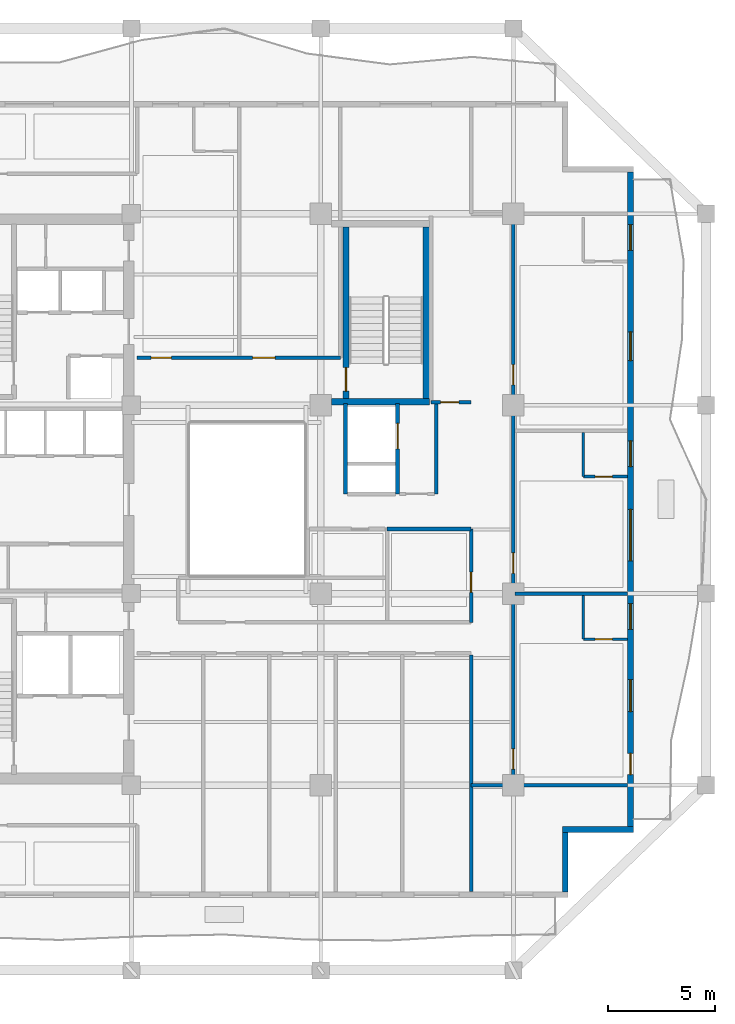
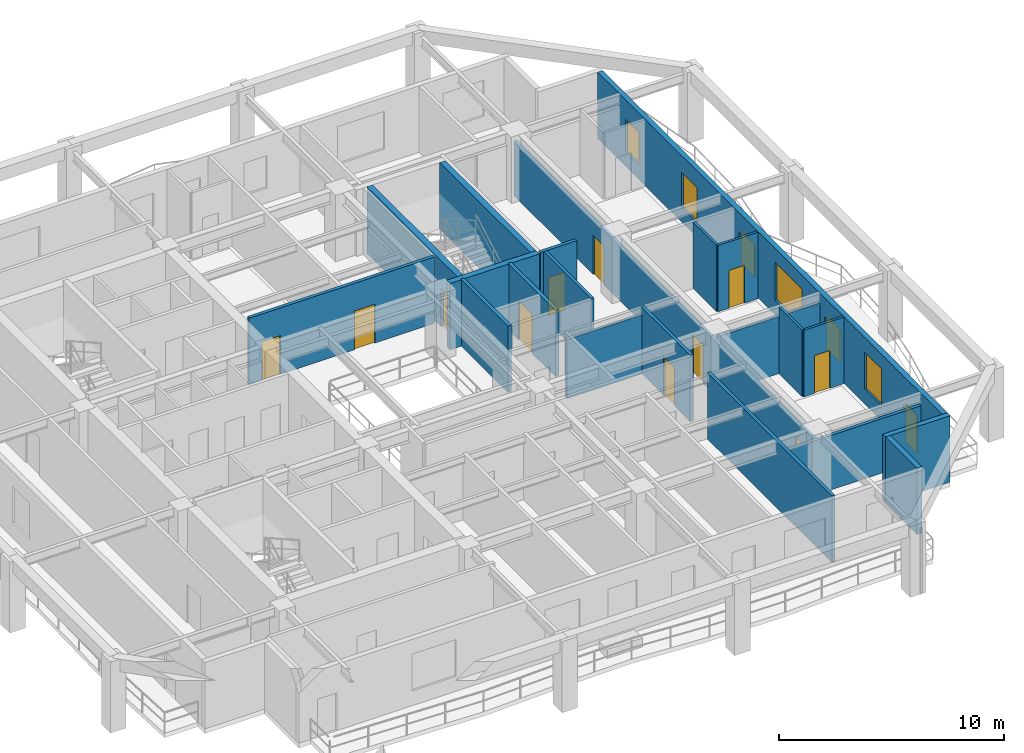
# One storey, part 5 of 11: 21 walls, 12 doors, 6 windows, 18 openings.
"""IFC4 building model written with IfcOpenShell, lengths in metres."""

from ifc_helpers import new_model, si_unit, direction, frame, frame_2d, origin, place, context, subcontext, project, spatial, rectangle, extrude, material, layer, layer_set, type_object, element, fill, save


model = new_model("IFC4")

# Units and contexts
model_context = context("Model", 3, precision=1e-05, world=origin(), true_north=direction((0.0, 1.0)))
body_context = subcontext(model_context, "Body", "Model", "MODEL_VIEW")
ifc_project = project(units=[si_unit("LENGTHUNIT", "METRE"), si_unit("AREAUNIT", "SQUARE_METRE"), si_unit("VOLUMEUNIT", "CUBIC_METRE"), si_unit("PLANEANGLEUNIT", "RADIAN"), si_unit("MASSUNIT", "GRAM", prefix="KILO")], contexts=[model_context])

# Site, building, storey
site_placement = place(None, origin())
site = spatial("IfcSite", under=ifc_project, at=site_placement, CompositionType="ELEMENT")
building_placement = place(site_placement, origin())
building = spatial("IfcBuilding", under=site, at=building_placement, Name="Kundavana Baori Tower", CompositionType="ELEMENT")
storey_placement = place(building_placement, frame((0.0, 0.0, 146.35009765625)))
storey = spatial("IfcBuildingStorey", under=building, at=storey_placement, Name="L35", CompositionType="ELEMENT", Elevation=146.35009765625)

# Walls
ifc_material_1 = material(Name="Kiln-Fired Terracotta Brick-Slip Masonry on Concrete C40/50", Category="masonry")
ifc_layer_1 = layer(ifc_material_1, 0.260009765625, Name="WL-EXT-BRK-260")
ifc_layer_set_1 = layer_set([ifc_layer_1], Name="Kiln-Fired Terracotta Brick-Slip Masonry on Concrete C40/50")
wall_type_1 = type_object("IfcWallType", Name="WL-EXT-BRK-260", PredefinedType="SOLIDWALL", material=ifc_layer_set_1)
wall_1_placement = place(storey_placement, frame((45.219970703125, 10.260009765625, 0.0), z_axis=(0.0, 0.0, 1.0), x_axis=(0.0, 1.0, 0.0)))
element("IfcWall", 1, at=wall_1_placement, inside=storey, type_object=wall_type_1, Name="L35 Exterior Insulated Facade Wall 02", PredefinedType="SOLIDWALL", context=body_context, shape_type="SweptSolid", body=[
    extrude(rectangle(XDim=2.7900390625, YDim=0.260009765625, at=frame_2d((1.39501953125, 0.0))), origin(), (0.0, 0.0, 1.0), 3.599853515625),
])
wall_2_placement = place(storey_placement, frame((45.090087890625, 13.179931640625, 0.0), z_axis=(0.0, 0.0, 1.0), x_axis=(1.0, 0.0, 0.0)))
element("IfcWall", 2, at=wall_2_placement, inside=storey, type_object=wall_type_1, Name="L35 Exterior Insulated Facade Wall 03", PredefinedType="SOLIDWALL", context=body_context, shape_type="SweptSolid", body=[
    extrude(rectangle(XDim=3.309814453125, YDim=0.260009765625, at=frame_2d((1.65478515625, 0.0))), origin(), (0.0, 0.0, 1.0), 3.599853515625),
])

# Wall, openings, door, windows
wall_3_placement = place(storey_placement, frame((48.27001953125, 13.31005859375, 0.0), z_axis=(0.0, 0.0, 1.0), x_axis=(0.0, 1.0, 0.0)))
wall_3 = element("IfcWall", 3, at=wall_3_placement, inside=storey, type_object=wall_type_1, Name="L35 Exterior Insulated Facade Wall 04", PredefinedType="SOLIDWALL", context=body_context, shape_type="SweptSolid", body=[
    extrude(rectangle(XDim=30.579833984375, YDim=0.260009765625, at=frame_2d((15.2900390625, 0.0))), origin(), (0.0, 0.0, 1.0), 3.599853515625),
])
opening_1_placement = place(wall_3_placement, frame((2.429931640625, 0.0, 0.0)))
opening_1 = element("IfcOpeningElement", 4, at=opening_1_placement, cuts=wall_3, Name="Opening BD-1", PredefinedType="OPENING", context=body_context, shape_type="SweptSolid", body=[
    extrude(rectangle(XDim=1.0, YDim=2.050048828125, at=frame_2d((0.5, 1.02490234375))), frame((0.0, 0.14013671875, 0.0), z_axis=(0.0, -1.0, 0.0), x_axis=(1.0, 0.0, 0.0)), (0.0, 0.0, 1.0), 0.280029296875),
])
opening_2_placement = place(wall_3_placement, frame((5.375, 0.0, 0.800048828125)))
opening_2 = element("IfcOpeningElement", 5, at=opening_2_placement, cuts=wall_3, Name="Opening W-02", PredefinedType="OPENING", context=body_context, shape_type="SweptSolid", body=[
    extrude(rectangle(XDim=1.5, YDim=2.0, at=frame_2d((0.75, 1.0))), frame((0.0, 0.14013671875, 0.0), z_axis=(0.0, -1.0, 0.0), x_axis=(1.0, 0.0, 0.0)), (0.0, 0.0, 1.0), 0.280029296875),
])
opening_3_placement = place(wall_3_placement, frame((9.22509765625, 0.0, 0.800048828125)))
opening_3 = element("IfcOpeningElement", 6, at=opening_3_placement, cuts=wall_3, Name="Opening W-03", PredefinedType="OPENING", context=body_context, shape_type="SweptSolid", body=[
    extrude(rectangle(XDim=1.199951171875, YDim=1.75, at=frame_2d((0.60009765625, 0.875))), frame((0.0, 0.14013671875, 0.0), z_axis=(0.0, -1.0, 0.0), x_axis=(1.0, 0.0, 0.0)), (0.0, 0.0, 1.0), 0.280029296875),
])
opening_4_placement = place(wall_3_placement, frame((12.425048828125, 0.0, 0.800048828125)))
opening_4 = element("IfcOpeningElement", 7, at=opening_4_placement, cuts=wall_3, Name="Opening W-04", PredefinedType="OPENING", context=body_context, shape_type="SweptSolid", body=[
    extrude(rectangle(XDim=2.39990234375, YDim=2.050048828125, at=frame_2d((1.199951171875, 1.02490234375))), frame((0.0, 0.14013671875, 0.0), z_axis=(0.0, -1.0, 0.0), x_axis=(1.0, 0.0, 0.0)), (0.0, 0.0, 1.0), 0.280029296875),
])
opening_5_placement = place(wall_3_placement, frame((16.824951171875, 0.0, 0.800048828125)))
opening_5 = element("IfcOpeningElement", 8, at=opening_5_placement, cuts=wall_3, Name="Opening W-03", PredefinedType="OPENING", context=body_context, shape_type="SweptSolid", body=[
    extrude(rectangle(XDim=1.199951171875, YDim=1.75, at=frame_2d((0.60009765625, 0.875))), frame((0.0, 0.14013671875, 0.0), z_axis=(0.0, -1.0, 0.0), x_axis=(1.0, 0.0, 0.0)), (0.0, 0.0, 1.0), 0.280029296875),
])
opening_6_placement = place(wall_3_placement, frame((21.77490234375, 0.0, 0.800048828125)))
opening_6 = element("IfcOpeningElement", 9, at=opening_6_placement, cuts=wall_3, Name="Opening W-07", PredefinedType="OPENING", context=body_context, shape_type="SweptSolid", body=[
    extrude(rectangle(XDim=1.35009765625, YDim=1.89990234375, at=frame_2d((0.675048828125, 0.949951171875))), frame((0.0, 0.14013671875, 0.0), z_axis=(0.0, -1.0, 0.0), x_axis=(1.0, 0.0, 0.0)), (0.0, 0.0, 1.0), 0.280029296875),
])
opening_7_placement = place(wall_3_placement, frame((26.925048828125, 0.0, 0.800048828125)))
opening_7 = element("IfcOpeningElement", 10, at=opening_7_placement, cuts=wall_3, Name="Opening W-03", PredefinedType="OPENING", context=body_context, shape_type="SweptSolid", body=[
    extrude(rectangle(XDim=1.199951171875, YDim=1.75, at=frame_2d((0.60009765625, 0.875))), frame((0.0, 0.14013671875, 0.0), z_axis=(0.0, -1.0, 0.0), x_axis=(1.0, 0.0, 0.0)), (0.0, 0.0, 1.0), 0.280029296875),
])
ifc_material_2 = material(Name="Architectural Patinated Bronze Metalwork")
door_type_1 = type_object("IfcDoorType", Name="DR-EXT-LOG-1000", OperationType="NOTDEFINED", PredefinedType="DOOR", material=ifc_material_2)
door_1_placement = place(opening_1_placement, frame((1.0, 0.0, 0.0), z_axis=(0.0, 0.0, 1.0), x_axis=(-1.0, 0.0, 0.0)))
door_1 = element("IfcDoor", 11, at=door_1_placement, inside=storey, type_object=door_type_1, Name="L35 Loggia Balcony Access Door E", OperationType="SINGLE_SWING_RIGHT", OverallHeight=2.050048828125, OverallWidth=1.0, PredefinedType="DOOR", context=body_context, shape_type="SweptSolid", body=[
    extrude(rectangle(XDim=1.0, YDim=2.050048828125, at=frame_2d((0.5, 1.02490234375))), frame((0.0, 0.02490234375, 0.0), z_axis=(0.0, -1.0, 0.0), x_axis=(1.0, 0.0, 0.0)), (0.0, 0.0, 1.0), 0.050048828125),
])
fill(opening_1, door_1)
ifc_material_3 = material(Name="Double-Glazed Solar-Control Low-E Insulated Glass", Category="glass")
window_type_1 = type_object("IfcWindowType", Name="WIN-LOG-1200x1750", PartitioningType="SINGLE_PANEL", PredefinedType="WINDOW", material=ifc_material_3)
window_1_placement = place(opening_3_placement, origin())
window_1 = element("IfcWindow", 12, at=window_1_placement, inside=storey, type_object=window_type_1, Name="L35 Recessed Loggia Window E-2", OverallHeight=1.75, OverallWidth=1.199951171875, PartitioningType="SINGLE_PANEL", PredefinedType="WINDOW", context=body_context, shape_type="SweptSolid", body=[
    extrude(rectangle(XDim=1.199951171875, YDim=1.75, at=frame_2d((0.60009765625, 0.875))), frame((0.0, 0.030029296875, 0.0), z_axis=(0.0, -1.0, 0.0), x_axis=(1.0, 0.0, 0.0)), (0.0, 0.0, 1.0), 0.06005859375),
])
fill(opening_3, window_1)
window_2_placement = place(opening_5_placement, origin())
window_2 = element("IfcWindow", 13, at=window_2_placement, inside=storey, type_object=window_type_1, Name="L35 Recessed Loggia Window E-4", OverallHeight=1.75, OverallWidth=1.199951171875, PartitioningType="SINGLE_PANEL", PredefinedType="WINDOW", context=body_context, shape_type="SweptSolid", body=[
    extrude(rectangle(XDim=1.199951171875, YDim=1.75, at=frame_2d((0.60009765625, 0.875))), frame((0.0, 0.030029296875, 0.0), z_axis=(0.0, -1.0, 0.0), x_axis=(1.0, 0.0, 0.0)), (0.0, 0.0, 1.0), 0.06005859375),
])
fill(opening_5, window_2)
window_3_placement = place(opening_7_placement, origin())
window_3 = element("IfcWindow", 14, at=window_3_placement, inside=storey, type_object=window_type_1, Name="L35 Recessed Loggia Window E-6", OverallHeight=1.75, OverallWidth=1.199951171875, PartitioningType="SINGLE_PANEL", PredefinedType="WINDOW", context=body_context, shape_type="SweptSolid", body=[
    extrude(rectangle(XDim=1.199951171875, YDim=1.75, at=frame_2d((0.60009765625, 0.875))), frame((0.0, 0.030029296875, 0.0), z_axis=(0.0, -1.0, 0.0), x_axis=(1.0, 0.0, 0.0)), (0.0, 0.0, 1.0), 0.06005859375),
])
fill(opening_7, window_3)
ifc_material_4 = material(Name="Double-Glazed Solar-Control Low-E Insulated Glass", Category="glass")
window_type_2 = type_object("IfcWindowType", Name="WIN-LOG-1350x1900", PartitioningType="SINGLE_PANEL", PredefinedType="WINDOW", material=ifc_material_4)
window_4_placement = place(opening_6_placement, origin())
window_4 = element("IfcWindow", 15, at=window_4_placement, inside=storey, type_object=window_type_2, Name="L35 Recessed Loggia Window E-5", OverallHeight=1.89990234375, OverallWidth=1.35009765625, PartitioningType="SINGLE_PANEL", PredefinedType="WINDOW", context=body_context, shape_type="SweptSolid", body=[
    extrude(rectangle(XDim=1.35009765625, YDim=1.89990234375, at=frame_2d((0.675048828125, 0.949951171875))), frame((0.0, 0.030029296875, 0.0), z_axis=(0.0, -1.0, 0.0), x_axis=(1.0, 0.0, 0.0)), (0.0, 0.0, 1.0), 0.06005859375),
])
fill(opening_6, window_4)
ifc_material_5 = material(Name="Double-Glazed Solar-Control Low-E Insulated Glass", Category="glass")
window_type_3 = type_object("IfcWindowType", Name="WIN-LOG-1500x2000", PartitioningType="SINGLE_PANEL", PredefinedType="WINDOW", material=ifc_material_5)
window_5_placement = place(opening_2_placement, origin())
window_5 = element("IfcWindow", 16, at=window_5_placement, inside=storey, type_object=window_type_3, Name="L35 Recessed Loggia Window E-1", OverallHeight=2.0, OverallWidth=1.5, PartitioningType="SINGLE_PANEL", PredefinedType="WINDOW", context=body_context, shape_type="SweptSolid", body=[
    extrude(rectangle(XDim=1.5, YDim=2.0, at=frame_2d((0.75, 1.0))), frame((0.0, 0.030029296875, 0.0), z_axis=(0.0, -1.0, 0.0), x_axis=(1.0, 0.0, 0.0)), (0.0, 0.0, 1.0), 0.06005859375),
])
fill(opening_2, window_5)
ifc_material_6 = material(Name="Double-Glazed Solar-Control Low-E Insulated Glass", Category="glass")
window_type_4 = type_object("IfcWindowType", Name="WIN-LOG-2400x2050", PartitioningType="SINGLE_PANEL", PredefinedType="WINDOW", material=ifc_material_6)
window_6_placement = place(opening_4_placement, origin())
window_6 = element("IfcWindow", 17, at=window_6_placement, inside=storey, type_object=window_type_4, Name="L35 Recessed Loggia Window E-3", OverallHeight=2.050048828125, OverallWidth=2.39990234375, PartitioningType="SINGLE_PANEL", PredefinedType="WINDOW", context=body_context, shape_type="SweptSolid", body=[
    extrude(rectangle(XDim=2.39990234375, YDim=2.050048828125, at=frame_2d((1.199951171875, 1.02490234375))), frame((0.0, 0.030029296875, 0.0), z_axis=(0.0, -1.0, 0.0), x_axis=(1.0, 0.0, 0.0)), (0.0, 0.0, 1.0), 0.06005859375),
])
fill(opening_4, window_6)

# Wall
ifc_material_7 = material(Name="Fire-Rated Gypsum Drywall on Galvanised Steel Studs", Category="steel")
ifc_layer_2 = layer(ifc_material_7, 0.14990234375, Name="WL-PART-150")
ifc_layer_set_2 = layer_set([ifc_layer_2], Name="Fire-Rated Gypsum Drywall on Galvanised Steel Studs")
wall_type_2 = type_object("IfcWallType", Name="WL-PART-150", PredefinedType="PARTITIONING", material=ifc_layer_set_2)
wall_4_placement = place(storey_placement, frame((39.199951171875, 28.860107421875, 0.0), z_axis=(0.0, 0.0, 1.0), x_axis=(0.0, 1.0, 0.0)))
element("IfcWall", 18, at=wall_4_placement, inside=storey, type_object=wall_type_2, Name="WL-L35-SVLOB-E", PredefinedType="PARTITIONING", context=body_context, shape_type="SweptSolid", body=[
    extrude(rectangle(XDim=4.219970703125, YDim=0.14990234375, at=frame_2d((2.10986328125, 0.0))), origin(), (0.0, 0.0, 1.0), 3.599853515625),
])

# Wall, openings, doors
ifc_material_8 = material(Name="Fire-Rated Gypsum Drywall on Galvanised Steel Studs", Category="steel")
ifc_layer_3 = layer(ifc_material_8, 0.1650390625, Name="WL-PART-165")
ifc_layer_set_3 = layer_set([ifc_layer_3], Name="Fire-Rated Gypsum Drywall on Galvanised Steel Studs")
wall_type_3 = type_object("IfcWallType", Name="WL-PART-165", PredefinedType="PARTITIONING", material=ifc_layer_set_3)
wall_5_placement = place(storey_placement, frame((25.219970703125, 35.219970703125, 0.0), z_axis=(0.0, 0.0, 1.0), x_axis=(1.0, 0.0, 0.0)))
wall_5 = element("IfcWall", 19, at=wall_5_placement, inside=storey, type_object=wall_type_3, Name="WL-L35-HN", PredefinedType="PARTITIONING", context=body_context, shape_type="SweptSolid", body=[
    extrude(rectangle(XDim=9.5, YDim=0.1650390625, at=frame_2d((4.75, 0.0))), origin(), (0.0, 0.0, 1.0), 3.599853515625),
])
opening_8_placement = place(wall_5_placement, frame((0.64990234375, 0.0, 0.0)))
opening_8 = element("IfcOpeningElement", 20, at=opening_8_placement, cuts=wall_5, Name="Opening FD-095", PredefinedType="OPENING", context=body_context, shape_type="SweptSolid", body=[
    extrude(rectangle(XDim=0.949951171875, YDim=2.10009765625, at=frame_2d((0.47509765625, 1.050048828125))), frame((0.0, 0.092529296875, 0.0), z_axis=(0.0, -1.0, 0.0), x_axis=(1.0, 0.0, 0.0)), (0.0, 0.0, 1.0), 0.18505859375),
])
opening_9_placement = place(wall_5_placement, frame((5.39990234375, 0.0, 0.0)))
opening_9 = element("IfcOpeningElement", 21, at=opening_9_placement, cuts=wall_5, Name="Opening ID-105", PredefinedType="OPENING", context=body_context, shape_type="SweptSolid", body=[
    extrude(rectangle(XDim=1.050048828125, YDim=2.10009765625, at=frame_2d((0.52490234375, 1.050048828125))), frame((0.0, 0.092529296875, 0.0), z_axis=(0.0, -1.0, 0.0), x_axis=(1.0, 0.0, 0.0)), (0.0, 0.0, 1.0), 0.18505859375),
])
ifc_material_9 = material(Name="Engineered Teak Fire-Rated Timber Door Leaf", Category="wood")
door_type_2 = type_object("IfcDoorType", Name="DR-FD60-950", OperationType="NOTDEFINED", PredefinedType="DOOR", material=ifc_material_9)
door_2_placement = place(opening_8_placement, origin())
door_2 = element("IfcDoor", 22, at=door_2_placement, inside=storey, type_object=door_type_2, Name="DR-L35-HK-N1-ENT", OperationType="SINGLE_SWING_LEFT", OverallHeight=2.10009765625, OverallWidth=0.949951171875, PredefinedType="DOOR", context=body_context, shape_type="SweptSolid", body=[
    extrude(rectangle(XDim=0.949951171875, YDim=2.10009765625, at=frame_2d((0.47509765625, 1.050048828125))), frame((0.0, 0.02490234375, 0.0), z_axis=(0.0, -1.0, 0.0), x_axis=(1.0, 0.0, 0.0)), (0.0, 0.0, 1.0), 0.050048828125),
])
fill(opening_8, door_2)
ifc_material_10 = material(Name="Engineered Teak Solid-Core Timber Veneer", Category="wood")
door_type_3 = type_object("IfcDoorType", Name="DR-INT-1050", OperationType="NOTDEFINED", PredefinedType="DOOR", material=ifc_material_10)
door_3_placement = place(opening_9_placement, origin())
door_3 = element("IfcDoor", 23, at=door_3_placement, inside=storey, type_object=door_type_3, Name="DR-L35-HLNG", OperationType="SINGLE_SWING_RIGHT", OverallHeight=2.10009765625, OverallWidth=1.050048828125, PredefinedType="DOOR", context=body_context, shape_type="SweptSolid", body=[
    extrude(rectangle(XDim=1.050048828125, YDim=2.10009765625, at=frame_2d((0.52490234375, 1.050048828125))), frame((0.0, 0.02490234375, 0.0), z_axis=(0.0, -1.0, 0.0), x_axis=(1.0, 0.0, 0.0)), (0.0, 0.0, 1.0), 0.050048828125),
])
fill(opening_9, door_3)

wall_6_placement = place(storey_placement, frame((42.800048828125, 15.25, 0.0), z_axis=(0.0, 0.0, 1.0), x_axis=(0.0, 1.0, 0.0)))
wall_6 = element("IfcWall", 24, at=wall_6_placement, inside=storey, type_object=wall_type_3, Name="WL-L35-HE", PredefinedType="PARTITIONING", context=body_context, shape_type="SweptSolid", body=[
    extrude(rectangle(XDim=26.699951171875, YDim=0.1650390625, at=frame_2d((13.35009765625, 0.0))), origin(), (0.0, 0.0, 1.0), 2.949951171875),
])
opening_10_placement = place(wall_6_placement, frame((0.75, 0.0, 0.0)))
opening_10 = element("IfcOpeningElement", 25, at=opening_10_placement, cuts=wall_6, Name="Opening FD-095", PredefinedType="OPENING", context=body_context, shape_type="SweptSolid", body=[
    extrude(rectangle(XDim=0.949951171875, YDim=2.10009765625, at=frame_2d((0.47509765625, 1.050048828125))), frame((0.0, 0.092529296875, 0.0), z_axis=(0.0, -1.0, 0.0), x_axis=(1.0, 0.0, 0.0)), (0.0, 0.0, 1.0), 0.18505859375),
])
opening_11_placement = place(wall_6_placement, frame((9.89990234375, 0.0, 0.0)))
opening_11 = element("IfcOpeningElement", 26, at=opening_11_placement, cuts=wall_6, Name="Opening FD-095", PredefinedType="OPENING", context=body_context, shape_type="SweptSolid", body=[
    extrude(rectangle(XDim=0.949951171875, YDim=2.10009765625, at=frame_2d((0.47509765625, 1.050048828125))), frame((0.0, 0.092529296875, 0.0), z_axis=(0.0, -1.0, 0.0), x_axis=(1.0, 0.0, 0.0)), (0.0, 0.0, 1.0), 0.18505859375),
])
opening_12_placement = place(wall_6_placement, frame((18.699951171875, 0.0, 0.0)))
opening_12 = element("IfcOpeningElement", 27, at=opening_12_placement, cuts=wall_6, Name="Opening FD-095", PredefinedType="OPENING", context=body_context, shape_type="SweptSolid", body=[
    extrude(rectangle(XDim=0.949951171875, YDim=2.10009765625, at=frame_2d((0.47509765625, 1.050048828125))), frame((0.0, 0.092529296875, 0.0), z_axis=(0.0, -1.0, 0.0), x_axis=(1.0, 0.0, 0.0)), (0.0, 0.0, 1.0), 0.18505859375),
])
door_4_placement = place(opening_10_placement, origin())
door_4 = element("IfcDoor", 28, at=door_4_placement, inside=storey, type_object=door_type_2, Name="DR-L35-HK-E1-ENT", OperationType="SINGLE_SWING_LEFT", OverallHeight=2.10009765625, OverallWidth=0.949951171875, PredefinedType="DOOR", context=body_context, shape_type="SweptSolid", body=[
    extrude(rectangle(XDim=0.949951171875, YDim=2.10009765625, at=frame_2d((0.47509765625, 1.050048828125))), frame((0.0, 0.02490234375, 0.0), z_axis=(0.0, -1.0, 0.0), x_axis=(1.0, 0.0, 0.0)), (0.0, 0.0, 1.0), 0.050048828125),
])
fill(opening_10, door_4)
door_5_placement = place(opening_11_placement, origin())
door_5 = element("IfcDoor", 29, at=door_5_placement, inside=storey, type_object=door_type_2, Name="DR-L35-HK-E2-ENT", OperationType="SINGLE_SWING_LEFT", OverallHeight=2.10009765625, OverallWidth=0.949951171875, PredefinedType="DOOR", context=body_context, shape_type="SweptSolid", body=[
    extrude(rectangle(XDim=0.949951171875, YDim=2.10009765625, at=frame_2d((0.47509765625, 1.050048828125))), frame((0.0, 0.02490234375, 0.0), z_axis=(0.0, -1.0, 0.0), x_axis=(1.0, 0.0, 0.0)), (0.0, 0.0, 1.0), 0.050048828125),
])
fill(opening_11, door_5)
door_6_placement = place(opening_12_placement, origin())
door_6 = element("IfcDoor", 30, at=door_6_placement, inside=storey, type_object=door_type_2, Name="DR-L35-HK-E3-ENT", OperationType="SINGLE_SWING_LEFT", OverallHeight=2.10009765625, OverallWidth=0.949951171875, PredefinedType="DOOR", context=body_context, shape_type="SweptSolid", body=[
    extrude(rectangle(XDim=0.949951171875, YDim=2.10009765625, at=frame_2d((0.47509765625, 1.050048828125))), frame((0.0, 0.02490234375, 0.0), z_axis=(0.0, -1.0, 0.0), x_axis=(1.0, 0.0, 0.0)), (0.0, 0.0, 1.0), 0.050048828125),
])
fill(opening_12, door_6)

# Wall
wall_7_placement = place(storey_placement, frame((40.820068359375, 15.25, 0.0), z_axis=(0.0, 0.0, 1.0), x_axis=(1.0, 0.0, 0.0)))
element("IfcWall", 31, at=wall_7_placement, inside=storey, type_object=wall_type_3, Name="WL-L35-HES", PredefinedType="PARTITIONING", context=body_context, shape_type="SweptSolid", body=[
    extrude(rectangle(XDim=7.300048828125, YDim=0.1650390625, at=frame_2d((3.64990234375, 0.0))), origin(), (0.0, 0.0, 1.0), 2.949951171875),
])

# Wall, opening, door
wall_8_placement = place(storey_placement, frame((40.820068359375, 22.860107421875, 0.0), z_axis=(0.0, 0.0, 1.0), x_axis=(0.0, 1.0, 0.0)))
wall_8 = element("IfcWall", 32, at=wall_8_placement, inside=storey, type_object=wall_type_3, Name="WL-L35-HEW", PredefinedType="PARTITIONING", context=body_context, shape_type="SweptSolid", body=[
    extrude(rectangle(XDim=4.35986328125, YDim=0.1650390625, at=frame_2d((2.179931640625, 0.0))), origin(), (0.0, 0.0, 1.0), 3.599853515625),
])
opening_13_placement = place(wall_8_placement, frame((1.39990234375, 0.0, 0.0)))
opening_13 = element("IfcOpeningElement", 33, at=opening_13_placement, cuts=wall_8, Name="Opening FD-095", PredefinedType="OPENING", context=body_context, shape_type="SweptSolid", body=[
    extrude(rectangle(XDim=0.949951171875, YDim=2.10009765625, at=frame_2d((0.47509765625, 1.050048828125))), frame((0.0, 0.092529296875, 0.0), z_axis=(0.0, -1.0, 0.0), x_axis=(1.0, 0.0, 0.0)), (0.0, 0.0, 1.0), 0.18505859375),
])
door_7_placement = place(opening_13_placement, frame((0.949951171875, 0.0, 0.0), z_axis=(0.0, 0.0, 1.0), x_axis=(-1.0, 0.0, 0.0)))
door_7 = element("IfcDoor", 34, at=door_7_placement, inside=storey, type_object=door_type_2, Name="DR-L35-HSK", OperationType="SINGLE_SWING_RIGHT", OverallHeight=2.10009765625, OverallWidth=0.949951171875, PredefinedType="DOOR", context=body_context, shape_type="SweptSolid", body=[
    extrude(rectangle(XDim=0.949951171875, YDim=2.10009765625, at=frame_2d((0.47509765625, 1.050048828125))), frame((0.0, 0.02490234375, 0.0), z_axis=(0.0, -1.0, 0.0), x_axis=(1.0, 0.0, 0.0)), (0.0, 0.0, 1.0), 0.050048828125),
])
fill(opening_13, door_7)

# Walls
wall_9_placement = place(storey_placement, frame((36.89990234375, 27.219970703125, 0.0), z_axis=(0.0, 0.0, 1.0), x_axis=(1.0, 0.0, 0.0)))
element("IfcWall", 35, at=wall_9_placement, inside=storey, type_object=wall_type_3, Name="WL-L35-HKN", PredefinedType="PARTITIONING", context=body_context, shape_type="SweptSolid", body=[
    extrude(rectangle(XDim=3.920166015625, YDim=0.1650390625, at=frame_2d((1.9599609375, 0.0))), origin(), (0.0, 0.0, 1.0), 3.199951171875),
])
wall_10_placement = place(storey_placement, frame((40.820068359375, 10.280029296875, 0.0), z_axis=(0.0, 0.0, 1.0), x_axis=(0.0, 1.0, 0.0)))
element("IfcWall", 36, at=wall_10_placement, inside=storey, type_object=wall_type_3, Name="WL-L35-HSEND", PredefinedType="PARTITIONING", context=body_context, shape_type="SweptSolid", body=[
    extrude(rectangle(XDim=11.06005859375, YDim=0.1650390625, at=frame_2d((5.530029296875, 0.0))), origin(), (0.0, 0.0, 1.0), 3.599853515625),
])
wall_11_placement = place(storey_placement, frame((42.8798828125, 24.199951171875, 0.0), z_axis=(0.0, 0.0, 1.0), x_axis=(1.0, 0.0, 0.0)))
element("IfcWall", 37, at=wall_11_placement, inside=storey, type_object=wall_type_3, Name="WL-L35-HED1", PredefinedType="PARTITIONING", context=body_context, shape_type="SweptSolid", body=[
    extrude(rectangle(XDim=5.240234375, YDim=0.1650390625, at=frame_2d((2.6201171875, 0.0))), origin(), (0.0, 0.0, 1.0), 3.099853515625),
])

# Wall, opening, door
wall_12_placement = place(storey_placement, frame((38.949951171875, 33.14990234375, 0.0), z_axis=(0.0, 0.0, 1.0), x_axis=(1.0, 0.0, 0.0)))
wall_12 = element("IfcWall", 38, at=wall_12_placement, inside=storey, type_object=wall_type_3, Name="WL-L35-HNES", PredefinedType="PARTITIONING", context=body_context, shape_type="SweptSolid", body=[
    extrude(rectangle(XDim=1.8701171875, YDim=0.1650390625, at=frame_2d((0.93505859375, 0.0))), origin(), (0.0, 0.0, 1.0), 3.599853515625),
])
opening_14_placement = place(wall_12_placement, frame((0.449951171875, 0.0, 0.0)))
opening_14 = element("IfcOpeningElement", 39, at=opening_14_placement, cuts=wall_12, Name="Opening WD-085", PredefinedType="OPENING", context=body_context, shape_type="SweptSolid", body=[
    extrude(rectangle(XDim=0.85009765625, YDim=2.050048828125, at=frame_2d((0.425048828125, 1.02490234375))), frame((0.0, 0.092529296875, 0.0), z_axis=(0.0, -1.0, 0.0), x_axis=(1.0, 0.0, 0.0)), (0.0, 0.0, 1.0), 0.18505859375),
])
ifc_material_11 = material(Name="Engineered Teak Solid-Core Timber Veneer", Category="wood")
door_type_4 = type_object("IfcDoorType", Name="DR-WET-850", OperationType="NOTDEFINED", PredefinedType="DOOR", material=ifc_material_11)
door_8_placement = place(opening_14_placement, origin())
door_8 = element("IfcDoor", 40, at=door_8_placement, inside=storey, type_object=door_type_4, Name="DR-L35-HLNE", OperationType="SINGLE_SWING_LEFT", OverallHeight=2.050048828125, OverallWidth=0.85009765625, PredefinedType="DOOR", context=body_context, shape_type="SweptSolid", body=[
    extrude(rectangle(XDim=0.85009765625, YDim=2.050048828125, at=frame_2d((0.425048828125, 1.02490234375))), frame((0.0, 0.02490234375, 0.0), z_axis=(0.0, -1.0, 0.0), x_axis=(1.0, 0.0, 0.0)), (0.0, 0.0, 1.0), 0.050048828125),
])
fill(opening_14, door_8)

# Wall
ifc_material_12 = material(Name="Autoclaved Aerated Concrete Blockwork Masonry", Category="masonry")
ifc_layer_4 = layer(ifc_material_12, 0.179931640625, Name="WL-SHAFT-180")
ifc_layer_set_4 = layer_set([ifc_layer_4], Name="Autoclaved Aerated Concrete Blockwork Masonry")
wall_type_4 = type_object("IfcWallType", Name="WL-SHAFT-180", PredefinedType="SOLIDWALL", material=ifc_layer_set_4)
wall_13_placement = place(storey_placement, frame((34.9599609375, 28.860107421875, 0.0), z_axis=(0.0, 0.0, 1.0), x_axis=(0.0, 1.0, 0.0)))
element("IfcWall", 41, at=wall_13_placement, inside=storey, type_object=wall_type_4, Name="WL-L35-SVL-W", PredefinedType="SOLIDWALL", context=body_context, shape_type="SweptSolid", body=[
    extrude(rectangle(XDim=4.219970703125, YDim=0.179931640625, at=frame_2d((2.10986328125, 0.0))), origin(), (0.0, 0.0, 1.0), 3.599853515625),
])

# Wall, opening, door
wall_14_placement = place(storey_placement, frame((37.389892578125, 28.860107421875, 0.0), z_axis=(0.0, 0.0, 1.0), x_axis=(0.0, 1.0, 0.0)))
wall_14 = element("IfcWall", 42, at=wall_14_placement, inside=storey, type_object=wall_type_4, Name="WL-L35-SVL-E", PredefinedType="SOLIDWALL", context=body_context, shape_type="SweptSolid", body=[
    extrude(rectangle(XDim=4.219970703125, YDim=0.179931640625, at=frame_2d((2.10986328125, 0.0))), origin(), (0.0, 0.0, 1.0), 3.599853515625),
])
opening_15_placement = place(wall_14_placement, frame((2.10009765625, 0.0, 0.0)))
opening_15 = element("IfcOpeningElement", 43, at=opening_15_placement, cuts=wall_14, Name="Opening LD-120", PredefinedType="OPENING", context=body_context, shape_type="SweptSolid", body=[
    extrude(rectangle(XDim=1.199951171875, YDim=2.1201171875, at=frame_2d((0.60009765625, 1.06005859375))), frame((0.0, 0.10009765625, 0.0), z_axis=(0.0, -1.0, 0.0), x_axis=(1.0, 0.0, 0.0)), (0.0, 0.0, 1.0), 0.199951171875),
])
ifc_material_13 = material(Name="Galvanised Steel Fire-Rated Door Leaf", Category="steel")
door_type_5 = type_object("IfcDoorType", Name="DR-SLIDE-LD1200", OperationType="NOTDEFINED", PredefinedType="DOOR", material=ifc_material_13)
door_9_placement = place(opening_15_placement, frame((1.199951171875, 0.0, 0.0), z_axis=(0.0, 0.0, 1.0), x_axis=(-1.0, 0.0, 0.0)))
door_9 = element("IfcDoor", 44, at=door_9_placement, inside=storey, type_object=door_type_5, Name="DR-L35-LD-SVL1", OperationType="DOUBLE_DOOR_SLIDING", OverallHeight=2.1201171875, OverallWidth=1.199951171875, PredefinedType="DOOR", context=body_context, shape_type="SweptSolid", body=[
    extrude(rectangle(XDim=1.199951171875, YDim=2.1201171875, at=frame_2d((0.60009765625, 1.06005859375))), frame((0.0, 0.02490234375, 0.0), z_axis=(0.0, -1.0, 0.0), x_axis=(1.0, 0.0, 0.0)), (0.0, 0.0, 1.0), 0.050048828125),
])
fill(opening_15, door_9)

# Wall
ifc_material_14 = material(Name="Concrete C50/60", Category="concrete")
ifc_layer_5 = layer(ifc_material_14, 0.300048828125, Name="WL-ST3-300")
ifc_layer_set_5 = layer_set([ifc_layer_5], Name="Concrete C50/60")
wall_type_5 = type_object("IfcWallType", Name="WL-ST3-300", PredefinedType="SHEAR", material=ifc_layer_set_5)
wall_15_placement = place(storey_placement, frame((34.300048828125, 33.159912109375, 0.0), z_axis=(0.0, 0.0, 1.0), x_axis=(1.0, 0.0, 0.0)))
element("IfcWall", 45, at=wall_15_placement, inside=storey, type_object=wall_type_5, Name="L35 Stair ST3 South Shear Wall", PredefinedType="SHEAR", context=body_context, shape_type="SweptSolid", body=[
    extrude(rectangle(XDim=4.570068359375, YDim=0.300048828125, at=frame_2d((2.28515625, 0.0))), origin(), (0.0, 0.0, 1.0), 3.599853515625),
])

# Wall, opening, door
wall_16_placement = place(storey_placement, frame((34.97998046875, 33.31005859375, 0.0), z_axis=(0.0, 0.0, 1.0), x_axis=(0.0, 1.0, 0.0)))
wall_16 = element("IfcWall", 46, at=wall_16_placement, inside=storey, type_object=wall_type_5, Name="L35 Stair ST3 West Shear Wall", PredefinedType="SHEAR", context=body_context, shape_type="SweptSolid", body=[
    extrude(rectangle(XDim=8.030029296875, YDim=0.300048828125, at=frame_2d((4.01513671875, 0.0))), origin(), (0.0, 0.0, 1.0), 3.599853515625),
])
opening_16_placement = place(wall_16_placement, frame((0.35009765625, 0.0, 0.0)))
opening_16 = element("IfcOpeningElement", 47, at=opening_16_placement, cuts=wall_16, Name="Opening FD-110", PredefinedType="OPENING", context=body_context, shape_type="SweptSolid", body=[
    extrude(rectangle(XDim=1.10009765625, YDim=2.10009765625, at=frame_2d((0.550048828125, 1.050048828125))), frame((0.0, 0.16015625, 0.0), z_axis=(0.0, -1.0, 0.0), x_axis=(1.0, 0.0, 0.0)), (0.0, 0.0, 1.0), 0.320068359375),
])
ifc_material_15 = material(Name="Galvanised Steel Fire-Rated Door Leaf", Category="steel")
door_type_6 = type_object("IfcDoorType", Name="DR-FD120-1100", OperationType="NOTDEFINED", PredefinedType="DOOR", material=ifc_material_15)
door_10_placement = place(opening_16_placement, origin())
door_10 = element("IfcDoor", 48, at=door_10_placement, inside=storey, type_object=door_type_6, Name="DR-L35-ST3-W", OperationType="SINGLE_SWING_LEFT", OverallHeight=2.10009765625, OverallWidth=1.10009765625, PredefinedType="DOOR", context=body_context, shape_type="SweptSolid", body=[
    extrude(rectangle(XDim=1.10009765625, YDim=2.10009765625, at=frame_2d((0.550048828125, 1.050048828125))), frame((0.0, 0.02490234375, 0.0), z_axis=(0.0, -1.0, 0.0), x_axis=(1.0, 0.0, 0.0)), (0.0, 0.0, 1.0), 0.050048828125),
])
fill(opening_16, door_10)

# Walls
wall_17_placement = place(storey_placement, frame((38.719970703125, 33.31005859375, 0.0), z_axis=(0.0, 0.0, 1.0), x_axis=(0.0, 1.0, 0.0)))
element("IfcWall", 49, at=wall_17_placement, inside=storey, type_object=wall_type_5, Name="L35 Stair ST3 East Shear Wall", PredefinedType="SHEAR", context=body_context, shape_type="SweptSolid", body=[
    extrude(rectangle(XDim=8.030029296875, YDim=0.300048828125, at=frame_2d((4.01513671875, 0.0))), origin(), (0.0, 0.0, 1.0), 3.599853515625),
])
ifc_material_16 = material(Name="Autoclaved Aerated Concrete Blockwork Masonry", Category="masonry")
ifc_layer_6 = layer(ifc_material_16, 0.125, Name="WL-WET-120")
ifc_layer_set_6 = layer_set([ifc_layer_6], Name="Autoclaved Aerated Concrete Blockwork Masonry")
wall_type_6 = type_object("IfcWallType", Name="WL-WET-120", PredefinedType="PLUMBINGWALL", material=ifc_layer_set_6)
wall_18_placement = place(storey_placement, frame((46.070068359375, 22.070068359375, 0.0), z_axis=(0.0, 0.0, 1.0), x_axis=(0.0, 1.0, 0.0)))
element("IfcWall", 50, at=wall_18_placement, inside=storey, type_object=wall_type_6, Name="WL-L35-HK-E1-BW", PredefinedType="PLUMBINGWALL", context=body_context, shape_type="SweptSolid", body=[
    extrude(rectangle(XDim=2.050048828125, YDim=0.125, at=frame_2d((1.02490234375, 0.0))), origin(), (0.0, 0.0, 1.0), 3.599853515625),
])

# Wall, opening, door
wall_19_placement = place(storey_placement, frame((46.070068359375, 22.070068359375, 0.0), z_axis=(0.0, 0.0, 1.0), x_axis=(1.0, 0.0, 0.0)))
wall_19 = element("IfcWall", 51, at=wall_19_placement, inside=storey, type_object=wall_type_6, Name="WL-L35-HK-E1-BS", PredefinedType="PLUMBINGWALL", context=body_context, shape_type="SweptSolid", body=[
    extrude(rectangle(XDim=2.050048828125, YDim=0.125, at=frame_2d((1.02490234375, 0.0))), origin(), (0.0, 0.0, 1.0), 3.599853515625),
])
opening_17_placement = place(wall_19_placement, frame((0.550048828125, 0.0, 0.0)))
opening_17 = element("IfcOpeningElement", 52, at=opening_17_placement, cuts=wall_19, Name="Opening WD-080", PredefinedType="OPENING", context=body_context, shape_type="SweptSolid", body=[
    extrude(rectangle(XDim=0.800048828125, YDim=2.050048828125, at=frame_2d((0.39990234375, 1.02490234375))), frame((0.0, 0.072509765625, 0.0), z_axis=(0.0, -1.0, 0.0), x_axis=(1.0, 0.0, 0.0)), (0.0, 0.0, 1.0), 0.14501953125),
])
ifc_material_17 = material(Name="Engineered Teak Solid-Core Timber Veneer", Category="wood")
door_type_7 = type_object("IfcDoorType", Name="DR-WET-800", OperationType="NOTDEFINED", PredefinedType="DOOR", material=ifc_material_17)
door_11_placement = place(opening_17_placement, frame((0.800048828125, 0.0, 0.0), z_axis=(0.0, 0.0, 1.0), x_axis=(-1.0, 0.0, 0.0)))
door_11 = element("IfcDoor", 53, at=door_11_placement, inside=storey, type_object=door_type_7, Name="DR-L35-HK-E1-ENS", OperationType="SINGLE_SWING_LEFT", OverallHeight=2.050048828125, OverallWidth=0.800048828125, PredefinedType="DOOR", context=body_context, shape_type="SweptSolid", body=[
    extrude(rectangle(XDim=0.800048828125, YDim=2.050048828125, at=frame_2d((0.39990234375, 1.02490234375))), frame((0.0, 0.02490234375, 0.0), z_axis=(0.0, -1.0, 0.0), x_axis=(1.0, 0.0, 0.0)), (0.0, 0.0, 1.0), 0.050048828125),
])
fill(opening_17, door_11)

# Wall
wall_20_placement = place(storey_placement, frame((46.070068359375, 29.669921875, 0.0), z_axis=(0.0, 0.0, 1.0), x_axis=(0.0, 1.0, 0.0)))
element("IfcWall", 54, at=wall_20_placement, inside=storey, type_object=wall_type_6, Name="WL-L35-HK-E2-BW", PredefinedType="PLUMBINGWALL", context=body_context, shape_type="SweptSolid", body=[
    extrude(rectangle(XDim=2.050048828125, YDim=0.125, at=frame_2d((1.02490234375, 0.0))), origin(), (0.0, 0.0, 1.0), 3.599853515625),
])

# Wall, opening, door
wall_21_placement = place(storey_placement, frame((46.070068359375, 29.669921875, 0.0), z_axis=(0.0, 0.0, 1.0), x_axis=(1.0, 0.0, 0.0)))
wall_21 = element("IfcWall", 55, at=wall_21_placement, inside=storey, type_object=wall_type_6, Name="WL-L35-HK-E2-BS", PredefinedType="PLUMBINGWALL", context=body_context, shape_type="SweptSolid", body=[
    extrude(rectangle(XDim=2.050048828125, YDim=0.125, at=frame_2d((1.02490234375, 0.0))), origin(), (0.0, 0.0, 1.0), 3.599853515625),
])
opening_18_placement = place(wall_21_placement, frame((0.550048828125, 0.0, 0.0)))
opening_18 = element("IfcOpeningElement", 56, at=opening_18_placement, cuts=wall_21, Name="Opening WD-080", PredefinedType="OPENING", context=body_context, shape_type="SweptSolid", body=[
    extrude(rectangle(XDim=0.800048828125, YDim=2.050048828125, at=frame_2d((0.39990234375, 1.02490234375))), frame((0.0, 0.072509765625, 0.0), z_axis=(0.0, -1.0, 0.0), x_axis=(1.0, 0.0, 0.0)), (0.0, 0.0, 1.0), 0.14501953125),
])
door_12_placement = place(opening_18_placement, frame((0.800048828125, 0.0, 0.0), z_axis=(0.0, 0.0, 1.0), x_axis=(-1.0, 0.0, 0.0)))
door_12 = element("IfcDoor", 57, at=door_12_placement, inside=storey, type_object=door_type_7, Name="DR-L35-HK-E2-ENS", OperationType="SINGLE_SWING_LEFT", OverallHeight=2.050048828125, OverallWidth=0.800048828125, PredefinedType="DOOR", context=body_context, shape_type="SweptSolid", body=[
    extrude(rectangle(XDim=0.800048828125, YDim=2.050048828125, at=frame_2d((0.39990234375, 1.02490234375))), frame((0.0, 0.02490234375, 0.0), z_axis=(0.0, -1.0, 0.0), x_axis=(1.0, 0.0, 0.0)), (0.0, 0.0, 1.0), 0.050048828125),
])
fill(opening_18, door_12)

save(model, "model.ifc")
